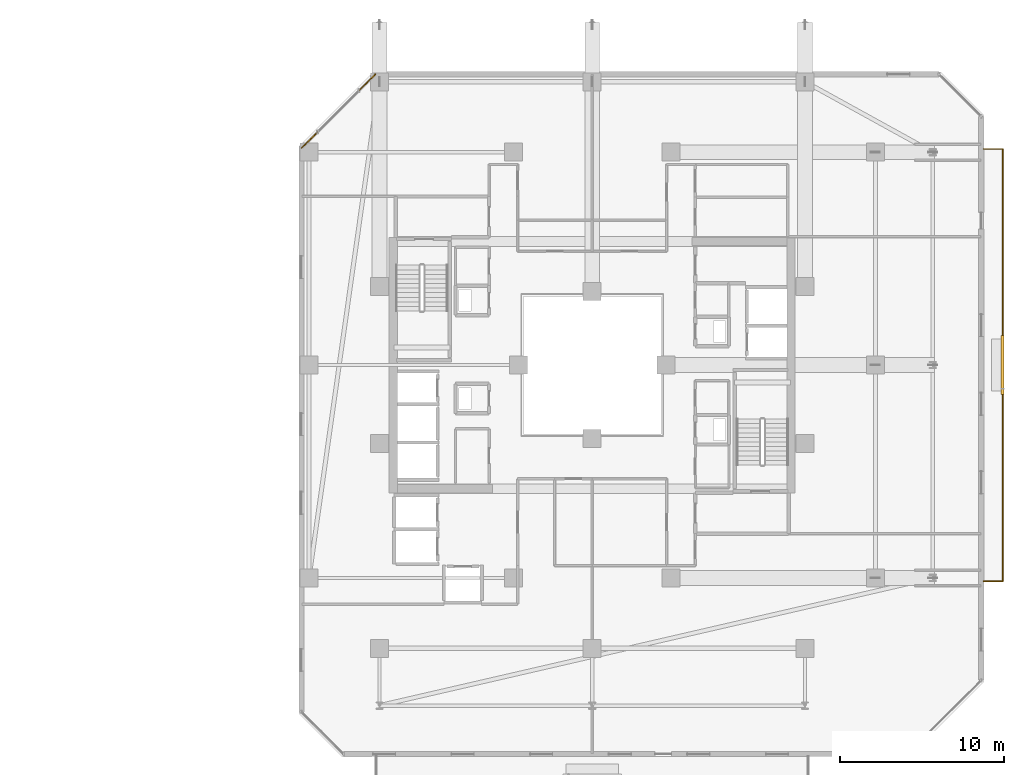
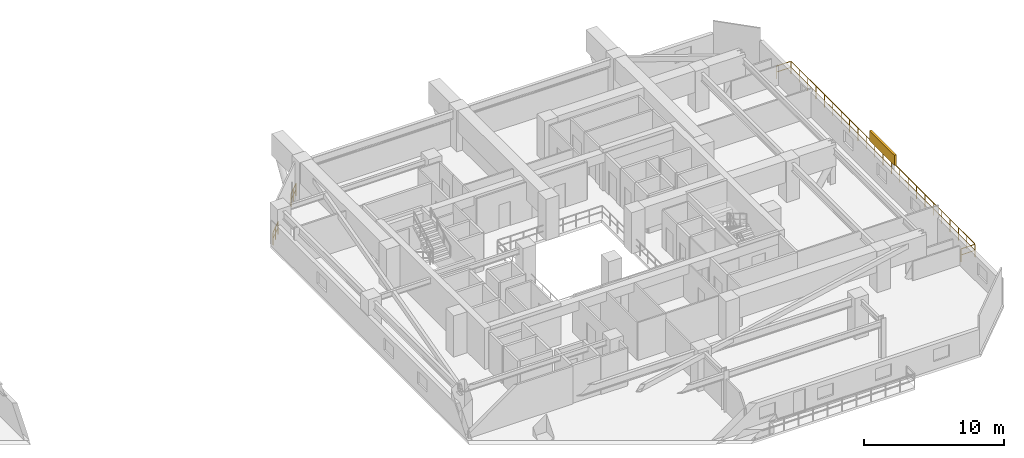
# One storey, part 35 of 35: 3 railings, 1 shading device.
"""IFC4 building model written with IfcOpenShell, lengths in metres."""

from ifc_helpers import new_model, si_unit, direction, frame, origin, origin_2d, place, context, subcontext, project, spatial, rectangle, extrude, material, type_object, element, save


model = new_model("IFC4")

# Units and contexts
model_context = context("Model", 3, precision=1e-05, world=origin(), true_north=direction((0.0, 1.0)))
body_context = subcontext(model_context, "Body", "Model", "MODEL_VIEW")
ifc_project = project(units=[si_unit("LENGTHUNIT", "METRE"), si_unit("AREAUNIT", "SQUARE_METRE"), si_unit("VOLUMEUNIT", "CUBIC_METRE"), si_unit("PLANEANGLEUNIT", "RADIAN"), si_unit("MASSUNIT", "GRAM", prefix="KILO")], contexts=[model_context])

# Site, building, storey
site_placement = place(None, origin())
site = spatial("IfcSite", under=ifc_project, at=site_placement, CompositionType="ELEMENT")
building_placement = place(site_placement, origin())
building = spatial("IfcBuilding", under=site, at=building_placement, Name="Thornwick Lancets Civic Towers", CompositionType="ELEMENT")
storey_placement = place(building_placement, frame((0.0, 0.0, 145.5)))
storey = spatial("IfcBuildingStorey", under=building, at=storey_placement, Name="L38", CompositionType="ELEMENT", Elevation=145.5)

# Railings
ifc_material_1 = material(Name="Terracotta-capped laminated glass balustrade S355", Category="masonry")
railing_type = type_object("IfcRailingType", Name="RAIL_TERR_GUARD", PredefinedType="GUARDRAIL", material=ifc_material_1)
for number, where, name in (
    (1, (75.2490234375, 44.75830078125, 0.0), "L38 Tower B Chamfer Spandrel Guard E5-1"),
    (2, (71.729248046875, 41.238525390625, 0.0), "L38 Tower B Chamfer Spandrel Guard E5-2"),
):
    element("IfcRailing", number, at=place(storey_placement, frame(where)), inside=storey, type_object=railing_type, Name=name, PredefinedType="GUARDRAIL", context=body_context, shape_type="SweptSolid", body=[
        extrude(rectangle(XDim=0.048095703125, YDim=0.048095703125, at=origin_2d()), frame((0.0, 0.0, 1.1259765625), z_axis=(-0.707106781187, -0.707106781187, 0.0), x_axis=(0.707106781187, -0.707106781187, 0.0)), (0.0, 0.0, 1.0), 1.396484375),
        extrude(rectangle(XDim=0.0419921875, YDim=0.0419921875, at=origin_2d()), frame((-0.026611328125, -0.026611328125, 0.597900390625), z_axis=(-0.707106781187, -0.707106781187, 0.0), x_axis=(0.707106781187, -0.707106781187, 0.0)), (0.0, 0.0, 1.0), 0.623291015625),
        extrude(rectangle(XDim=0.0419921875, YDim=0.0419921875, at=origin_2d()), frame((-0.520263671875, -0.520263671875, 0.597900390625), z_axis=(-0.707106781187, -0.707106781187, 0.0), x_axis=(0.707106781187, -0.707106781187, 0.0)), (0.0, 0.0, 1.0), 0.623291015625),
        extrude(rectangle(XDim=0.0419921875, YDim=0.0419921875, at=origin_2d()), origin(), (0.0, 0.0, 1.0), 1.095703125),
        extrude(rectangle(XDim=0.0419921875, YDim=0.0419921875, at=origin_2d()), frame((-0.49365234375, -0.49365234375, 0.0)), (0.0, 0.0, 1.0), 1.095703125),
        extrude(rectangle(XDim=0.0419921875, YDim=0.0419921875, at=origin_2d()), frame((-0.987548828125, -0.987548828125, 0.0)), (0.0, 0.0, 1.0), 1.095703125),
    ])
railing_placement = place(storey_placement, frame((112.39990234375, 13.800048828125, 0.0)))
element("IfcRailing", 3, at=railing_placement, inside=storey, type_object=railing_type, Name="L38 Tower B Balcony Guard E", PredefinedType="GUARDRAIL", context=body_context, shape_type="SweptSolid", body=[
    extrude(rectangle(XDim=0.048095703125, YDim=0.048095703125, at=origin_2d()), frame((0.0, 0.0, 1.1259765625), z_axis=(1.0, 0.0, 0.0), x_axis=(0.0, 1.0, 0.0)), (0.0, 0.0, 1.0), 1.138916015625),
    extrude(rectangle(XDim=0.0419921875, YDim=0.0419921875, at=origin_2d()), frame((0.03759765625, 0.0, 0.597900390625), z_axis=(1.0, 0.0, 0.0), x_axis=(0.0, 1.0, 0.0)), (0.0, 0.0, 1.0), 1.09521484375),
    extrude(rectangle(XDim=0.048095703125, YDim=0.048095703125, at=origin_2d()), frame((1.170166015625, 0.03125, 1.1259765625), z_axis=(0.0, 1.0, 0.0), x_axis=(-1.0, 0.0, 0.0)), (0.0, 0.0, 1.0), 26.33740234375),
    extrude(rectangle(XDim=0.0419921875, YDim=0.0419921875, at=origin_2d()), frame((1.170166015625, 0.03759765625, 0.597900390625), z_axis=(0.0, 1.0, 0.0), x_axis=(-1.0, 0.0, 0.0)), (0.0, 0.0, 1.0), 1.125),
    extrude(rectangle(XDim=0.0419921875, YDim=0.0419921875, at=origin_2d()), frame((1.170166015625, 1.237548828125, 0.597900390625), z_axis=(0.0, 1.0, 0.0), x_axis=(-1.0, 0.0, 0.0)), (0.0, 0.0, 1.0), 1.125),
    extrude(rectangle(XDim=0.0419921875, YDim=0.0419921875, at=origin_2d()), frame((1.170166015625, 2.4375, 0.597900390625), z_axis=(0.0, 1.0, 0.0), x_axis=(-1.0, 0.0, 0.0)), (0.0, 0.0, 1.0), 1.125),
    extrude(rectangle(XDim=0.0419921875, YDim=0.0419921875, at=origin_2d()), frame((1.170166015625, 3.637451171875, 0.597900390625), z_axis=(0.0, 1.0, 0.0), x_axis=(-1.0, 0.0, 0.0)), (0.0, 0.0, 1.0), 1.125),
    extrude(rectangle(XDim=0.0419921875, YDim=0.0419921875, at=origin_2d()), frame((1.170166015625, 4.83740234375, 0.597900390625), z_axis=(0.0, 1.0, 0.0), x_axis=(-1.0, 0.0, 0.0)), (0.0, 0.0, 1.0), 1.125),
    extrude(rectangle(XDim=0.0419921875, YDim=0.0419921875, at=origin_2d()), frame((1.170166015625, 6.037353515625, 0.597900390625), z_axis=(0.0, 1.0, 0.0), x_axis=(-1.0, 0.0, 0.0)), (0.0, 0.0, 1.0), 1.125),
    extrude(rectangle(XDim=0.0419921875, YDim=0.0419921875, at=origin_2d()), frame((1.170166015625, 7.237548828125, 0.597900390625), z_axis=(0.0, 1.0, 0.0), x_axis=(-1.0, 0.0, 0.0)), (0.0, 0.0, 1.0), 1.125),
    extrude(rectangle(XDim=0.0419921875, YDim=0.0419921875, at=origin_2d()), frame((1.170166015625, 8.4375, 0.597900390625), z_axis=(0.0, 1.0, 0.0), x_axis=(-1.0, 0.0, 0.0)), (0.0, 0.0, 1.0), 1.125),
    extrude(rectangle(XDim=0.0419921875, YDim=0.0419921875, at=origin_2d()), frame((1.170166015625, 9.637451171875, 0.597900390625), z_axis=(0.0, 1.0, 0.0), x_axis=(-1.0, 0.0, 0.0)), (0.0, 0.0, 1.0), 1.125),
    extrude(rectangle(XDim=0.0419921875, YDim=0.0419921875, at=origin_2d()), frame((1.170166015625, 10.83740234375, 0.597900390625), z_axis=(0.0, 1.0, 0.0), x_axis=(-1.0, 0.0, 0.0)), (0.0, 0.0, 1.0), 1.125),
    extrude(rectangle(XDim=0.0419921875, YDim=0.0419921875, at=origin_2d()), frame((1.170166015625, 12.037353515625, 0.597900390625), z_axis=(0.0, 1.0, 0.0), x_axis=(-1.0, 0.0, 0.0)), (0.0, 0.0, 1.0), 1.125),
    extrude(rectangle(XDim=0.0419921875, YDim=0.0419921875, at=origin_2d()), frame((1.170166015625, 13.237548828125, 0.597900390625), z_axis=(0.0, 1.0, 0.0), x_axis=(-1.0, 0.0, 0.0)), (0.0, 0.0, 1.0), 1.125),
    extrude(rectangle(XDim=0.0419921875, YDim=0.0419921875, at=origin_2d()), frame((1.170166015625, 14.4375, 0.597900390625), z_axis=(0.0, 1.0, 0.0), x_axis=(-1.0, 0.0, 0.0)), (0.0, 0.0, 1.0), 1.125),
    extrude(rectangle(XDim=0.0419921875, YDim=0.0419921875, at=origin_2d()), frame((1.170166015625, 15.637451171875, 0.597900390625), z_axis=(0.0, 1.0, 0.0), x_axis=(-1.0, 0.0, 0.0)), (0.0, 0.0, 1.0), 1.125),
    extrude(rectangle(XDim=0.0419921875, YDim=0.0419921875, at=origin_2d()), frame((1.170166015625, 16.83740234375, 0.597900390625), z_axis=(0.0, 1.0, 0.0), x_axis=(-1.0, 0.0, 0.0)), (0.0, 0.0, 1.0), 1.125),
    extrude(rectangle(XDim=0.0419921875, YDim=0.0419921875, at=origin_2d()), frame((1.170166015625, 18.037353515625, 0.597900390625), z_axis=(0.0, 1.0, 0.0), x_axis=(-1.0, 0.0, 0.0)), (0.0, 0.0, 1.0), 1.125),
    extrude(rectangle(XDim=0.0419921875, YDim=0.0419921875, at=origin_2d()), frame((1.170166015625, 19.2373046875, 0.597900390625), z_axis=(0.0, 1.0, 0.0), x_axis=(-1.0, 0.0, 0.0)), (0.0, 0.0, 1.0), 1.125),
    extrude(rectangle(XDim=0.0419921875, YDim=0.0419921875, at=origin_2d()), frame((1.170166015625, 20.4375, 0.597900390625), z_axis=(0.0, 1.0, 0.0), x_axis=(-1.0, 0.0, 0.0)), (0.0, 0.0, 1.0), 1.125),
    extrude(rectangle(XDim=0.0419921875, YDim=0.0419921875, at=origin_2d()), frame((1.170166015625, 21.637451171875, 0.597900390625), z_axis=(0.0, 1.0, 0.0), x_axis=(-1.0, 0.0, 0.0)), (0.0, 0.0, 1.0), 1.125),
    extrude(rectangle(XDim=0.0419921875, YDim=0.0419921875, at=origin_2d()), frame((1.170166015625, 22.83740234375, 0.597900390625), z_axis=(0.0, 1.0, 0.0), x_axis=(-1.0, 0.0, 0.0)), (0.0, 0.0, 1.0), 1.125),
    extrude(rectangle(XDim=0.0419921875, YDim=0.0419921875, at=origin_2d()), frame((1.170166015625, 24.037353515625, 0.597900390625), z_axis=(0.0, 1.0, 0.0), x_axis=(-1.0, 0.0, 0.0)), (0.0, 0.0, 1.0), 1.125),
    extrude(rectangle(XDim=0.0419921875, YDim=0.0419921875, at=origin_2d()), frame((1.170166015625, 25.2373046875, 0.597900390625), z_axis=(0.0, 1.0, 0.0), x_axis=(-1.0, 0.0, 0.0)), (0.0, 0.0, 1.0), 1.125),
    extrude(rectangle(XDim=0.048095703125, YDim=0.048095703125, at=origin_2d()), frame((1.138916015625, 26.39990234375, 1.1259765625), z_axis=(-1.0, 0.0, 0.0), x_axis=(0.0, -1.0, 0.0)), (0.0, 0.0, 1.0), 1.138916015625),
    extrude(rectangle(XDim=0.0419921875, YDim=0.0419921875, at=origin_2d()), frame((1.132568359375, 26.39990234375, 0.597900390625), z_axis=(-1.0, 0.0, 0.0), x_axis=(0.0, -1.0, 0.0)), (0.0, 0.0, 1.0), 1.09521484375),
    extrude(rectangle(XDim=0.0419921875, YDim=0.0419921875, at=origin_2d()), origin(), (0.0, 0.0, 1.0), 1.095703125),
    extrude(rectangle(XDim=0.0419921875, YDim=0.0419921875, at=origin_2d()), frame((1.170166015625, 0.0, 0.0)), (0.0, 0.0, 1.0), 1.095703125),
    extrude(rectangle(XDim=0.0419921875, YDim=0.0419921875, at=origin_2d()), frame((1.170166015625, 1.199951171875, 0.0)), (0.0, 0.0, 1.0), 1.095703125),
    extrude(rectangle(XDim=0.0419921875, YDim=0.0419921875, at=origin_2d()), frame((1.170166015625, 2.39990234375, 0.0)), (0.0, 0.0, 1.0), 1.095703125),
    extrude(rectangle(XDim=0.0419921875, YDim=0.0419921875, at=origin_2d()), frame((1.170166015625, 3.60009765625, 0.0)), (0.0, 0.0, 1.0), 1.095703125),
    extrude(rectangle(XDim=0.0419921875, YDim=0.0419921875, at=origin_2d()), frame((1.170166015625, 4.800048828125, 0.0)), (0.0, 0.0, 1.0), 1.095703125),
    extrude(rectangle(XDim=0.0419921875, YDim=0.0419921875, at=origin_2d()), frame((1.170166015625, 6.0, 0.0)), (0.0, 0.0, 1.0), 1.095703125),
    extrude(rectangle(XDim=0.0419921875, YDim=0.0419921875, at=origin_2d()), frame((1.170166015625, 7.199951171875, 0.0)), (0.0, 0.0, 1.0), 1.095703125),
    extrude(rectangle(XDim=0.0419921875, YDim=0.0419921875, at=origin_2d()), frame((1.170166015625, 8.39990234375, 0.0)), (0.0, 0.0, 1.0), 1.095703125),
    extrude(rectangle(XDim=0.0419921875, YDim=0.0419921875, at=origin_2d()), frame((1.170166015625, 9.599853515625, 0.0)), (0.0, 0.0, 1.0), 1.095703125),
    extrude(rectangle(XDim=0.0419921875, YDim=0.0419921875, at=origin_2d()), frame((1.170166015625, 10.800048828125, 0.0)), (0.0, 0.0, 1.0), 1.095703125),
    extrude(rectangle(XDim=0.0419921875, YDim=0.0419921875, at=origin_2d()), frame((1.170166015625, 12.0, 0.0)), (0.0, 0.0, 1.0), 1.095703125),
    extrude(rectangle(XDim=0.0419921875, YDim=0.0419921875, at=origin_2d()), frame((1.170166015625, 13.199951171875, 0.0)), (0.0, 0.0, 1.0), 1.095703125),
    extrude(rectangle(XDim=0.0419921875, YDim=0.0419921875, at=origin_2d()), frame((1.170166015625, 14.39990234375, 0.0)), (0.0, 0.0, 1.0), 1.095703125),
    extrude(rectangle(XDim=0.0419921875, YDim=0.0419921875, at=origin_2d()), frame((1.170166015625, 15.599853515625, 0.0)), (0.0, 0.0, 1.0), 1.095703125),
    extrude(rectangle(XDim=0.0419921875, YDim=0.0419921875, at=origin_2d()), frame((1.170166015625, 16.800048828125, 0.0)), (0.0, 0.0, 1.0), 1.095703125),
    extrude(rectangle(XDim=0.0419921875, YDim=0.0419921875, at=origin_2d()), frame((1.170166015625, 18.0, 0.0)), (0.0, 0.0, 1.0), 1.095703125),
    extrude(rectangle(XDim=0.0419921875, YDim=0.0419921875, at=origin_2d()), frame((1.170166015625, 19.199951171875, 0.0)), (0.0, 0.0, 1.0), 1.095703125),
    extrude(rectangle(XDim=0.0419921875, YDim=0.0419921875, at=origin_2d()), frame((1.170166015625, 20.39990234375, 0.0)), (0.0, 0.0, 1.0), 1.095703125),
    extrude(rectangle(XDim=0.0419921875, YDim=0.0419921875, at=origin_2d()), frame((1.170166015625, 21.599853515625, 0.0)), (0.0, 0.0, 1.0), 1.095703125),
    extrude(rectangle(XDim=0.0419921875, YDim=0.0419921875, at=origin_2d()), frame((1.170166015625, 22.7998046875, 0.0)), (0.0, 0.0, 1.0), 1.095703125),
    extrude(rectangle(XDim=0.0419921875, YDim=0.0419921875, at=origin_2d()), frame((1.170166015625, 24.0, 0.0)), (0.0, 0.0, 1.0), 1.095703125),
    extrude(rectangle(XDim=0.0419921875, YDim=0.0419921875, at=origin_2d()), frame((1.170166015625, 25.199951171875, 0.0)), (0.0, 0.0, 1.0), 1.095703125),
    extrude(rectangle(XDim=0.0419921875, YDim=0.0419921875, at=origin_2d()), frame((1.170166015625, 26.39990234375, 0.0)), (0.0, 0.0, 1.0), 1.095703125),
    extrude(rectangle(XDim=0.0419921875, YDim=0.0419921875, at=origin_2d()), frame((0.0, 26.39990234375, 0.0)), (0.0, 0.0, 1.0), 1.095703125),
])

# Shading device
ifc_material_2 = material(Name="Extruded terracotta baguette solar screen", Category="masonry")
shading_device_type = type_object("IfcShadingDeviceType", Name="SHADE_BAGUETTE", PredefinedType="JALOUSIE", material=ifc_material_2)
shading_device_placement = place(storey_placement, frame((113.56005859375, 27.0, 1.1201171875), z_axis=(0.0, 0.0, 1.0), x_axis=(0.0, 1.0, 0.0)))
element("IfcShadingDevice", 4, at=shading_device_placement, inside=storey, type_object=shading_device_type, Name="L38 Tower B Terracotta Baguette Screen E", PredefinedType="JALOUSIE", context=body_context, shape_type="SweptSolid", body=[
    extrude(rectangle(XDim=3.60009765625, YDim=0.179931640625, at=origin_2d()), origin(), (0.0, 0.0, 1.0), 0.89990234375),
])

save(model, "model.ifc")
